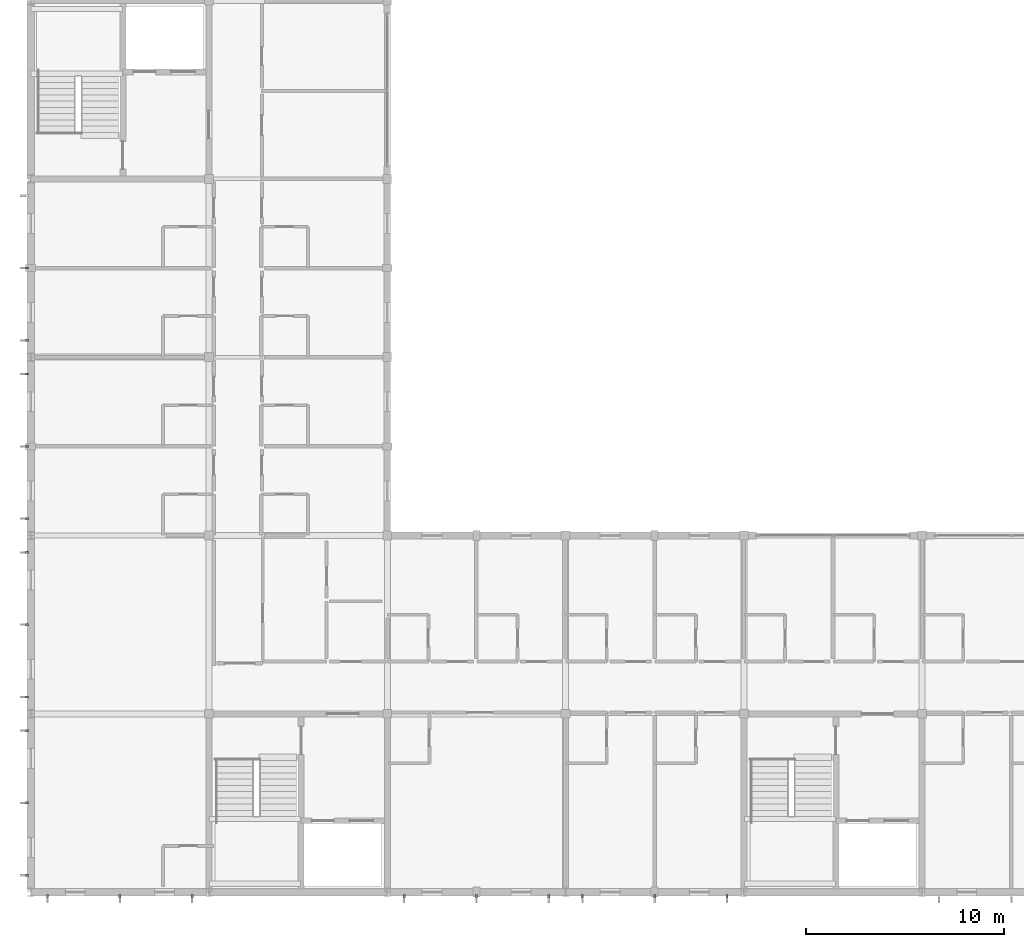
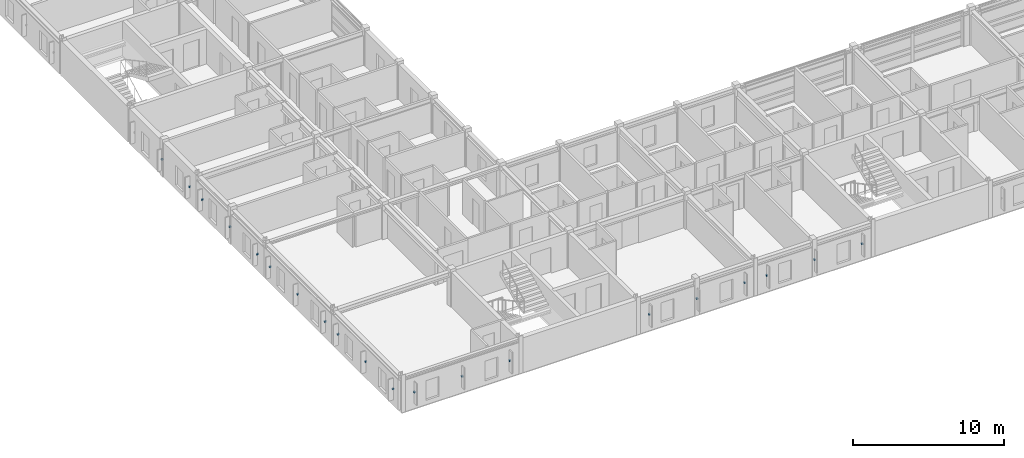
# One storey, part 15 of 20: 20 discrete accessories.
"""IFC4 building model written with IfcOpenShell, lengths in metres."""

from ifc_helpers import new_model, si_unit, direction, frame, origin, origin_2d, place, context, subcontext, project, spatial, rectangle, extrude, material, type_object, element, save


model = new_model("IFC4")

# Units and contexts
model_context = context("Model", 3, precision=1e-05, world=origin(), true_north=direction((0.0, 1.0)))
body_context = subcontext(model_context, "Body", "Model", "MODEL_VIEW")
ifc_project = project(units=[si_unit("LENGTHUNIT", "METRE"), si_unit("AREAUNIT", "SQUARE_METRE"), si_unit("VOLUMEUNIT", "CUBIC_METRE"), si_unit("PLANEANGLEUNIT", "RADIAN"), si_unit("MASSUNIT", "GRAM", prefix="KILO")], contexts=[model_context])

# Site, building, storey
site_placement = place(None, origin())
site = spatial("IfcSite", under=ifc_project, at=site_placement, CompositionType="ELEMENT")
building_placement = place(site_placement, origin())
building = spatial("IfcBuilding", under=site, at=building_placement, Name="Palais des Congres Ocreval", CompositionType="ELEMENT")
storey_placement = place(building_placement, frame((0.0, 0.0, 20.639892578125)))
storey = spatial("IfcBuildingStorey", under=building, at=storey_placement, Name="L06", CompositionType="ELEMENT", Elevation=20.639892578125)

# Discrete accessories
ifc_material = material(Name="Steel S355", Category="steel")
discrete_accessory_type = type_object("IfcDiscreteAccessoryType", Name="Stainless Brise-Soleil Fixing Bracket", PredefinedType="BRACKET", material=ifc_material)
for number, where, z_axis, x_axis, name in (
    (1, (35.14990234375, -0.18994140625, 1.2900390625), (0.0, 0.0, 1.0), (0.0, -1.0, 0.0), "Celosia Fixing Bracket BK01"),
    (2, (31.5, -0.18994140625, 1.2900390625), (0.0, 0.0, 1.0), (0.0, -1.0, 0.0), "Celosia Fixing Bracket BK01"),
    (3, (27.85009765625, -0.18994140625, 1.2900390625), (0.0, 0.0, 1.0), (0.0, -1.0, 0.0), "Celosia Fixing Bracket BK01"),
    (4, (26.14990234375, -0.18994140625, 1.2900390625), (0.0, 0.0, 1.0), (0.0, -1.0, 0.0), "Celosia Fixing Bracket BK01"),
    (5, (22.5, -0.18994140625, 1.2900390625), (0.0, 0.0, 1.0), (0.0, -1.0, 0.0), "Celosia Fixing Bracket BK01"),
    (6, (18.85009765625, -0.18994140625, 1.2900390625), (0.0, 0.0, 1.0), (0.0, -1.0, 0.0), "Celosia Fixing Bracket BK01"),
    (7, (8.14990234375, -0.18994140625, 1.2900390625), (0.0, 0.0, 1.0), (0.0, -1.0, 0.0), "Celosia Fixing Bracket BK01"),
    (8, (4.5, -0.18994140625, 1.2900390625), (0.0, 0.0, 1.0), (0.0, -1.0, 0.0), "Celosia Fixing Bracket BK01"),
    (9, (0.85009765625, -0.18994140625, 1.2900390625), (0.0, 0.0, 1.0), (0.0, -1.0, 0.0), "Celosia Fixing Bracket BK01"),
    (10, (-0.18994140625, 0.85009765625, 1.2900390625), (0.0, 0.0, 1.0), (-1.0, 0.0, 0.0), "Celosia Fixing Bracket BK01"),
    (11, (-0.18994140625, 4.5, 1.2900390625), (0.0, 0.0, 1.0), (-1.0, 0.0, 0.0), "Celosia Fixing Bracket BK01"),
    (12, (-0.18994140625, 8.14990234375, 1.2900390625), (0.0, 0.0, 1.0), (-1.0, 0.0, 0.0), "Celosia Fixing Bracket BK01"),
    (13, (-0.18994140625, 9.85009765625, 1.2900390625), (0.0, 0.0, 1.0), (-1.0, 0.0, 0.0), "Celosia Fixing Bracket BK01"),
    (14, (-0.18994140625, 13.5, 1.2900390625), (0.0, 0.0, 1.0), (-1.0, 0.0, 0.0), "Celosia Fixing Bracket BK01"),
    (15, (-0.18994140625, 17.14990234375, 1.2900390625), (0.0, 0.0, 1.0), (-1.0, 0.0, 0.0), "Celosia Fixing Bracket BK01"),
    (16, (-0.18994140625, 18.85009765625, 1.2900390625), (0.0, 0.0, 1.0), (-1.0, 0.0, 0.0), "Celosia Fixing Bracket BK01"),
    (17, (-0.18994140625, 22.5, 1.2900390625), (0.0, 0.0, 1.0), (-1.0, 0.0, 0.0), "Celosia Fixing Bracket BK01"),
    (18, (-0.18994140625, 26.14990234375, 1.2900390625), (0.0, 0.0, 1.0), (-1.0, 0.0, 0.0), "Celosia Fixing Bracket BK01"),
    (19, (-0.18994140625, 27.85009765625, 1.2900390625), (0.0, 0.0, 1.0), (-1.0, 0.0, 0.0), "Celosia Fixing Bracket BK01"),
    (20, (-0.18994140625, 31.5, 1.2900390625), (0.0, 0.0, 1.0), (-1.0, 0.0, 0.0), "Celosia Fixing Bracket BK01"),
):
    element("IfcDiscreteAccessory", number, at=place(storey_placement, frame(where, z_axis=z_axis, x_axis=x_axis)), inside=storey, type_object=discrete_accessory_type, Name=name, PredefinedType="BRACKET", context=body_context, shape_type="SweptSolid", body=[
        extrude(rectangle(XDim=0.159912109375, YDim=0.1201171875, at=origin_2d()), origin(), (0.0, 0.0, 1.0), 0.1201171875),
    ])

save(model, "model.ifc")
